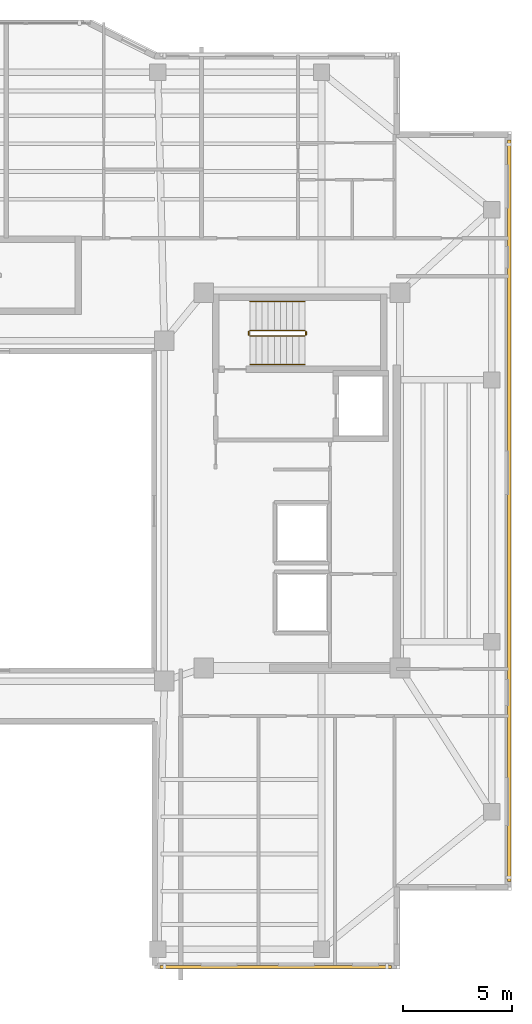
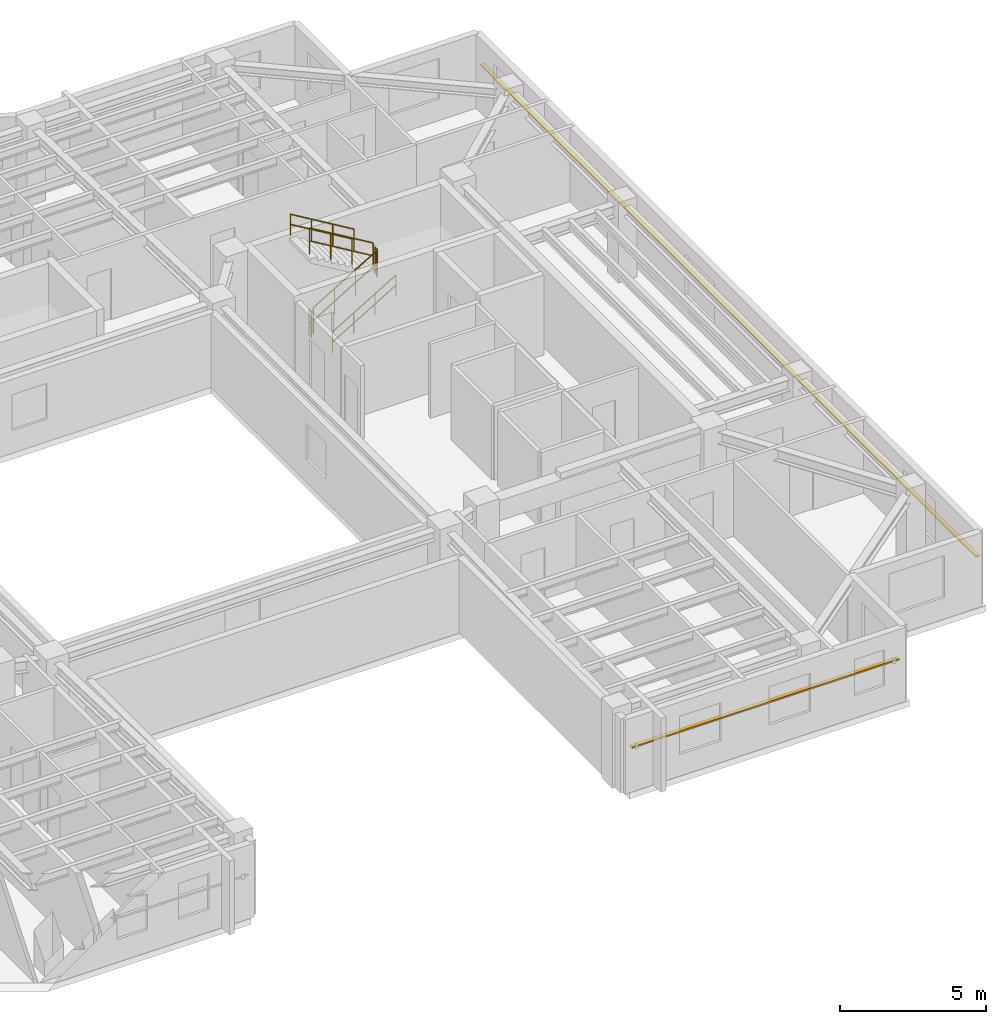
# One storey, part 10 of 11: 6 railings, 2 shading devices.
"""IFC4 building model written with IfcOpenShell, lengths in metres."""

from ifc_helpers import new_model, si_unit, direction, frame, origin, origin_2d, place, context, subcontext, project, spatial, rectangle, circle, extrude, material, material_profile, profile_set, type_object, element, save


model = new_model("IFC4")

# Units and contexts
model_context = context("Model", 3, precision=1e-05, world=origin(), true_north=direction((0.0, 1.0)))
body_context = subcontext(model_context, "Body", "Model", "MODEL_VIEW")
ifc_project = project(units=[si_unit("LENGTHUNIT", "METRE"), si_unit("AREAUNIT", "SQUARE_METRE"), si_unit("VOLUMEUNIT", "CUBIC_METRE"), si_unit("PLANEANGLEUNIT", "RADIAN"), si_unit("MASSUNIT", "GRAM", prefix="KILO")], contexts=[model_context])

# Site, building, storey
site_placement = place(None, origin())
site = spatial("IfcSite", under=ifc_project, at=site_placement, CompositionType="ELEMENT")
building_placement = place(site_placement, origin())
building = spatial("IfcBuilding", under=site, at=building_placement, Name="Tarnavaz Court Tower", CompositionType="ELEMENT")
storey_placement = place(building_placement, frame((0.0, 0.0, 213.699951171875)))
storey = spatial("IfcBuildingStorey", under=building, at=storey_placement, Name="L58", CompositionType="ELEMENT", Elevation=213.699951171875)

# Railings
ifc_material_1 = material(Name="Brushed Stainless Steel", Category="steel")
railing_type_1 = type_object("IfcRailingType", Name="RL-HANDRAIL-900", PredefinedType="HANDRAIL", material=ifc_material_1)
railing_1_placement = place(storey_placement, frame((11.719970703125, 6.699951171875, 0.16748046875)))
element("IfcRailing", 1, at=railing_1_placement, inside=storey, type_object=railing_type_1, Name="L58 ST-E1 stair handrail 1", PredefinedType="HANDRAIL", context=body_context, shape_type="SweptSolid", body=[
    extrude(circle(Radius=0.02392578125, at=origin_2d()), frame((0.0, 0.0, 0.8759765625), z_axis=(0.858159760407, 0.0, 0.513382728203), x_axis=(0.0, 1.0, 0.0)), (0.0, 0.0, 1.0), 2.9365234375),
    extrude(circle(Radius=0.02392578125, at=origin_2d()), frame((0.0, 0.0, 0.449951171875), z_axis=(0.858159760407, 0.0, 0.513382728203), x_axis=(0.0, 1.0, 0.0)), (0.0, 0.0, 1.0), 2.9365234375),
    extrude(circle(Radius=0.02099609375, at=origin_2d()), origin(), (0.0, 0.0, 1.0), 0.851806640625),
    extrude(circle(Radius=0.02099609375, at=origin_2d()), frame((0.840087890625, 0.0, 0.50244140625)), (0.0, 0.0, 1.0), 0.851806640625),
    extrude(circle(Radius=0.02099609375, at=origin_2d()), frame((1.679931640625, 0.0, 1.005126953125)), (0.0, 0.0, 1.0), 0.851806640625),
    extrude(circle(Radius=0.02099609375, at=origin_2d()), frame((2.52001953125, 0.0, 1.507568359375)), (0.0, 0.0, 1.0), 0.851806640625),
])
railing_2_placement = place(storey_placement, frame((14.239990234375, 9.590087890625, 1.842529296875)))
element("IfcRailing", 2, at=railing_2_placement, inside=storey, type_object=railing_type_1, Name="L58 ST-E1 stair handrail 2", PredefinedType="HANDRAIL", context=body_context, shape_type="SweptSolid", body=[
    extrude(circle(Radius=0.02392578125, at=origin_2d()), frame((0.0, 0.0, 0.8759765625), z_axis=(-0.858159760407, 0.0, 0.513382728203), x_axis=(0.0, -1.0, 0.0)), (0.0, 0.0, 1.0), 2.9365234375),
    extrude(circle(Radius=0.02392578125, at=origin_2d()), frame((0.0, 0.0, 0.449951171875), z_axis=(-0.858159760407, 0.0, 0.513382728203), x_axis=(0.0, -1.0, 0.0)), (0.0, 0.0, 1.0), 2.9365234375),
    extrude(circle(Radius=0.02099609375, at=origin_2d()), origin(), (0.0, 0.0, 1.0), 0.851806640625),
    extrude(circle(Radius=0.02099609375, at=origin_2d()), frame((-0.840087890625, 0.0, 0.50244140625)), (0.0, 0.0, 1.0), 0.851806640625),
    extrude(circle(Radius=0.02099609375, at=origin_2d()), frame((-1.679931640625, 0.0, 1.005126953125)), (0.0, 0.0, 1.0), 0.851806640625),
    extrude(circle(Radius=0.02099609375, at=origin_2d()), frame((-2.52001953125, 0.0, 1.507568359375)), (0.0, 0.0, 1.0), 0.851806640625),
])
ifc_material_2 = material(Name="Galvanized Painted Tubular Steel", Category="steel")
railing_type_2 = type_object("IfcRailingType", Name="RL-STGUARD-1120", PredefinedType="GUARDRAIL", material=ifc_material_2)
railing_3_placement = place(storey_placement, frame((11.719970703125, 8.02001953125, 0.16748046875)))
element("IfcRailing", 3, at=railing_3_placement, inside=storey, type_object=railing_type_2, Name="L58 ST-E1 stair guard 1", PredefinedType="GUARDRAIL", context=body_context, shape_type="SweptSolid", body=[
    extrude(circle(Radius=0.02392578125, at=origin_2d()), frame((0.0, 0.0, 1.09619140625), z_axis=(0.858159760407, 0.0, 0.513382728203), x_axis=(0.0, 1.0, 0.0)), (0.0, 0.0, 1.0), 2.9365234375),
    extrude(circle(Radius=0.02392578125, at=origin_2d()), frame((0.0, 0.0, 0.56005859375), z_axis=(0.858159760407, 0.0, 0.513382728203), x_axis=(0.0, 1.0, 0.0)), (0.0, 0.0, 1.0), 2.9365234375),
    extrude(circle(Radius=0.02099609375, at=origin_2d()), origin(), (0.0, 0.0, 1.0), 1.072021484375),
    extrude(circle(Radius=0.02099609375, at=origin_2d()), frame((0.840087890625, 0.0, 0.50244140625)), (0.0, 0.0, 1.0), 1.072021484375),
    extrude(circle(Radius=0.02099609375, at=origin_2d()), frame((1.679931640625, 0.0, 1.005126953125)), (0.0, 0.0, 1.0), 1.072021484375),
    extrude(circle(Radius=0.02099609375, at=origin_2d()), frame((2.52001953125, 0.0, 1.507568359375)), (0.0, 0.0, 1.0), 1.072021484375),
])
railing_4_placement = place(storey_placement, frame((14.2900390625, 8.070068359375, 1.675048828125)))
element("IfcRailing", 4, at=railing_4_placement, inside=storey, type_object=railing_type_2, Name="L58 ST-E1 stair guard 2", PredefinedType="GUARDRAIL", context=body_context, shape_type="SweptSolid", body=[
    extrude(circle(Radius=0.02392578125, at=origin_2d()), frame((0.0, 0.0, 1.09619140625), z_axis=(0.0, 1.0, 0.0), x_axis=(-1.0, 0.0, 0.0)), (0.0, 0.0, 1.0), 0.14990234375),
    extrude(circle(Radius=0.02392578125, at=origin_2d()), frame((0.0, 0.0, 0.56005859375), z_axis=(0.0, 1.0, 0.0), x_axis=(-1.0, 0.0, 0.0)), (0.0, 0.0, 1.0), 0.14990234375),
    extrude(circle(Radius=0.02099609375, at=origin_2d()), origin(), (0.0, 0.0, 1.0), 1.072021484375),
    extrude(circle(Radius=0.02099609375, at=origin_2d()), frame((0.0, 0.14990234375, 0.0)), (0.0, 0.0, 1.0), 1.072021484375),
])
railing_5_placement = place(storey_placement, frame((14.239990234375, 8.27001953125, 1.842529296875)))
element("IfcRailing", 5, at=railing_5_placement, inside=storey, type_object=railing_type_2, Name="L58 ST-E1 stair guard 3", PredefinedType="GUARDRAIL", context=body_context, shape_type="SweptSolid", body=[
    extrude(circle(Radius=0.02392578125, at=origin_2d()), frame((0.0, 0.0, 1.09619140625), z_axis=(-0.858159760407, 0.0, 0.513382728203), x_axis=(0.0, -1.0, 0.0)), (0.0, 0.0, 1.0), 2.9365234375),
    extrude(circle(Radius=0.02392578125, at=origin_2d()), frame((0.0, 0.0, 0.56005859375), z_axis=(-0.858159760407, 0.0, 0.513382728203), x_axis=(0.0, -1.0, 0.0)), (0.0, 0.0, 1.0), 2.9365234375),
    extrude(circle(Radius=0.02099609375, at=origin_2d()), origin(), (0.0, 0.0, 1.0), 1.072021484375),
    extrude(circle(Radius=0.02099609375, at=origin_2d()), frame((-0.840087890625, 0.0, 0.50244140625)), (0.0, 0.0, 1.0), 1.072021484375),
    extrude(circle(Radius=0.02099609375, at=origin_2d()), frame((-1.679931640625, 0.0, 1.005126953125)), (0.0, 0.0, 1.0), 1.072021484375),
    extrude(circle(Radius=0.02099609375, at=origin_2d()), frame((-2.52001953125, 0.0, 1.507568359375)), (0.0, 0.0, 1.0), 1.072021484375),
])
railing_6_placement = place(storey_placement, frame((11.669921875, 8.070068359375, 0.0)))
element("IfcRailing", 6, at=railing_6_placement, inside=storey, type_object=railing_type_2, Name="L58 ST-E1 stair guard 4", PredefinedType="GUARDRAIL", context=body_context, shape_type="SweptSolid", body=[
    extrude(circle(Radius=0.02392578125, at=origin_2d()), frame((0.0, 0.0, 1.09619140625), z_axis=(0.0, 1.0, 0.0), x_axis=(-1.0, 0.0, 0.0)), (0.0, 0.0, 1.0), 0.14990234375),
    extrude(circle(Radius=0.02392578125, at=origin_2d()), frame((0.0, 0.0, 0.56005859375), z_axis=(0.0, 1.0, 0.0), x_axis=(-1.0, 0.0, 0.0)), (0.0, 0.0, 1.0), 0.14990234375),
    extrude(circle(Radius=0.02099609375, at=origin_2d()), origin(), (0.0, 0.0, 1.0), 1.072021484375),
    extrude(circle(Radius=0.02099609375, at=origin_2d()), frame((0.0, 0.14990234375, 0.0)), (0.0, 0.0, 1.0), 1.072021484375),
])

# Shading devices
ifc_material_3 = material(Name="Kiln-Fired Khorasan Terracotta Ceramic", Category="masonry")
ifc_material_profile = material_profile(ifc_material_3, rectangle(XDim=0.14990234375, YDim=0.06494140625, at=origin_2d()), Name="TC BAGUETTE 150X65")
ifc_profile_set = profile_set([ifc_material_profile], Name="Kiln-Fired Khorasan Terracotta Ceramic")
shading_device_type = type_object("IfcShadingDeviceType", Name="SD-BAG-150", PredefinedType="USERDEFINED", material=ifc_profile_set)
shading_device_1_placement = place(storey_placement, frame((23.610107421875, 17.0, 1.85009765625), z_axis=(0.0, -1.0, 0.0), x_axis=(1.0, 0.0, 0.0)))
element("IfcShadingDevice", 7, at=shading_device_1_placement, inside=storey, type_object=shading_device_type, Name="L58 Terracotta Baguette Screen FBG12", ObjectType="BAGUETTE", PredefinedType="USERDEFINED", context=body_context, shape_type="SweptSolid", body=[
    extrude(rectangle(XDim=0.14990234375, YDim=0.06494140625, at=origin_2d()), origin(), (0.0, 0.0, 1.0), 34.0),
])
shading_device_2_placement = place(storey_placement, frame((18.199951171875, -20.909912109375, 1.85009765625), z_axis=(-1.0, 0.0, 0.0), x_axis=(0.0, -1.0, 0.0)))
element("IfcShadingDevice", 8, at=shading_device_2_placement, inside=storey, type_object=shading_device_type, Name="L58 Terracotta Baguette Screen FBG15", ObjectType="BAGUETTE", PredefinedType="USERDEFINED", context=body_context, shape_type="SweptSolid", body=[
    extrude(rectangle(XDim=0.14990234375, YDim=0.06494140625, at=origin_2d()), origin(), (0.0, 0.0, 1.0), 10.599853515625),
])

save(model, "model.ifc")
